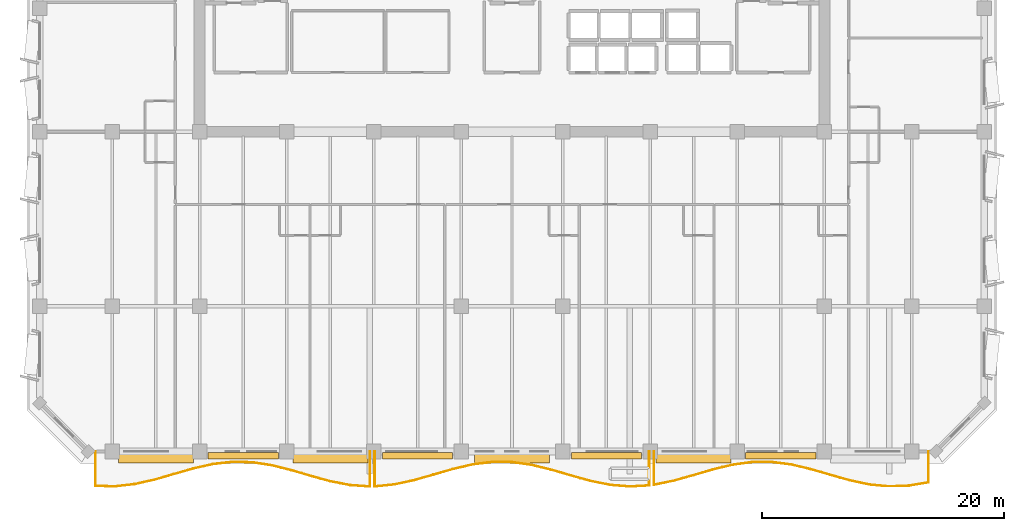
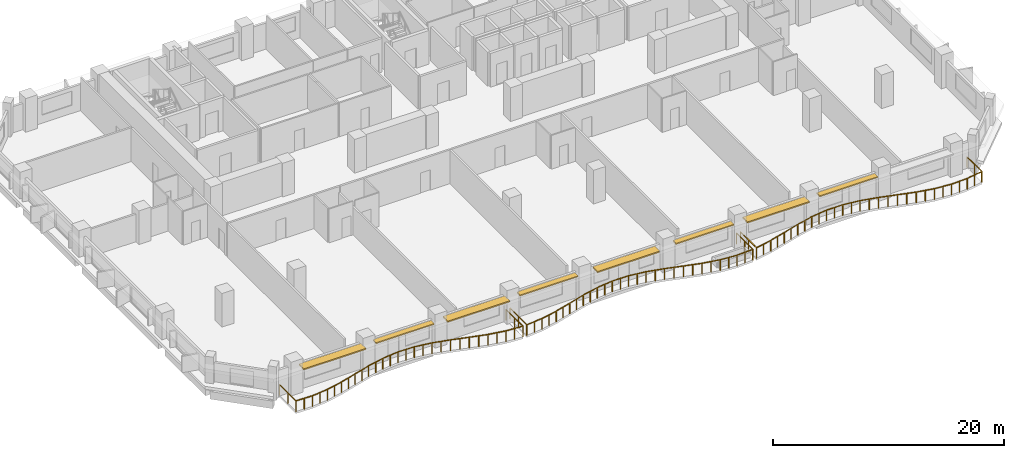
# One storey, part 10 of 14: 8 shading devices, 3 railings.
"""IFC4 building model written with IfcOpenShell, lengths in metres."""

from ifc_helpers import new_model, si_unit, direction, frame, origin, origin_2d, place, context, subcontext, project, spatial, rectangle, extrude, material, layer, layer_set, type_object, element, save


model = new_model("IFC4")

# Units and contexts
model_context = context("Model", 3, precision=1e-05, world=origin(), true_north=direction((0.0, 1.0)))
body_context = subcontext(model_context, "Body", "Model", "MODEL_VIEW")
ifc_project = project(units=[si_unit("LENGTHUNIT", "METRE"), si_unit("AREAUNIT", "SQUARE_METRE"), si_unit("VOLUMEUNIT", "CUBIC_METRE"), si_unit("PLANEANGLEUNIT", "RADIAN"), si_unit("MASSUNIT", "GRAM", prefix="KILO")], contexts=[model_context])

# Site, building, storey
site_placement = place(None, origin())
site = spatial("IfcSite", under=ifc_project, at=site_placement, CompositionType="ELEMENT")
building_placement = place(site_placement, origin())
building = spatial("IfcBuilding", under=site, at=building_placement, Name="Kaelvorn Grand Hotel", CompositionType="ELEMENT")
storey_placement = place(building_placement, frame((0.0, 0.0, 209.14990234375)))
storey = spatial("IfcBuildingStorey", under=building, at=storey_placement, Name="L51", CompositionType="ELEMENT", Elevation=209.14990234375)

# Railings
ifc_material_1 = material(Name="Stainless Steel", Category="steel")
railing_type = type_object("IfcRailingType", Name="RL-BALC-1150", PredefinedType="BALUSTRADE", material=ifc_material_1)
railing_1_placement = place(storey_placement, frame((7.60009765625, 3.0, 0.0)))
element("IfcRailing", 1, at=railing_1_placement, inside=storey, type_object=railing_type, Name="L51 Scalloped Wave Balcony Balustrade GR1-1", PredefinedType="BALUSTRADE", context=body_context, shape_type="SweptSolid", body=[
    extrude(rectangle(XDim=0.048095703125, YDim=0.048095703125, at=origin_2d()), frame((0.0, 0.0, 1.1259765625), z_axis=(0.0, -1.0, 0.0), x_axis=(1.0, 0.0, 0.0)), (0.0, 0.0, 1.0), 2.849853515625),
    extrude(rectangle(XDim=0.048095703125, YDim=0.048095703125, at=origin_2d()), frame((0.0, -2.849853515625, 1.1259765625), z_axis=(0.999730426156, -0.023217989086, 0.0), x_axis=(0.023217989086, 0.999730426156, 0.0)), (0.0, 0.0, 1.0), 1.619384765625),
    extrude(rectangle(XDim=0.048095703125, YDim=0.048095703125, at=origin_2d()), frame((1.618896484375, -2.887451171875, 1.1259765625), z_axis=(0.993682951912, 0.112223843634, 0.0), x_axis=(-0.112223843634, 0.993682951912, 0.0)), (0.0, 0.0, 1.0), 1.62939453125),
    extrude(rectangle(XDim=0.048095703125, YDim=0.048095703125, at=origin_2d()), frame((3.238037109375, -2.70458984375, 1.1259765625), z_axis=(0.975703414812, 0.219095518723, 0.0), x_axis=(-0.219095518723, 0.975703414812, 0.0)), (0.0, 0.0, 1.0), 1.6591796875),
    extrude(rectangle(XDim=0.048095703125, YDim=0.048095703125, at=origin_2d()), frame((4.85693359375, -2.341064453125, 1.1259765625), z_axis=(0.961173148549, 0.275945970271, 0.0), x_axis=(-0.275945970271, 0.961173148549, 0.0)), (0.0, 0.0, 1.0), 1.6845703125),
    extrude(rectangle(XDim=0.048095703125, YDim=0.048095703125, at=origin_2d()), frame((6.47607421875, -1.876220703125, 1.1259765625), z_axis=(0.961096237506, 0.276213725676, 0.0), x_axis=(-0.276213725676, 0.961096237506, 0.0)), (0.0, 0.0, 1.0), 1.6845703125),
    extrude(rectangle(XDim=0.048095703125, YDim=0.048095703125, at=origin_2d()), frame((8.09521484375, -1.410888671875, 1.1259765625), z_axis=(0.975640468592, 0.219375650531, 0.0), x_axis=(-0.219375650531, 0.975640468592, 0.0)), (0.0, 0.0, 1.0), 1.659423828125),
    extrude(rectangle(XDim=0.048095703125, YDim=0.048095703125, at=origin_2d()), frame((9.714111328125, -1.046875, 1.1259765625), z_axis=(0.993615946407, 0.112815562069, 0.0), x_axis=(-0.112815562069, 0.993615946407, 0.0)), (0.0, 0.0, 1.0), 1.629638671875),
    extrude(rectangle(XDim=0.048095703125, YDim=0.048095703125, at=origin_2d()), frame((11.333251953125, -0.863037109375, 1.1259765625), z_axis=(0.999747716334, -0.022461159489, 0.0), x_axis=(0.022461159489, 0.999747716334, 0.0)), (0.0, 0.0, 1.0), 1.61962890625),
    extrude(rectangle(XDim=0.048095703125, YDim=0.048095703125, at=origin_2d()), frame((12.952392578125, -0.8994140625, 1.1259765625), z_axis=(0.988375143725, -0.152034783079, 0.0), x_axis=(0.152034783079, 0.988375143725, 0.0)), (0.0, 0.0, 1.0), 1.637939453125),
    extrude(rectangle(XDim=0.048095703125, YDim=0.048095703125, at=origin_2d()), frame((14.5712890625, -1.1484375, 1.1259765625), z_axis=(0.969797453299, -0.243911663465, 0.0), x_axis=(0.243911663465, 0.969797453299, 0.0)), (0.0, 0.0, 1.0), 1.669677734375),
    extrude(rectangle(XDim=0.048095703125, YDim=0.048095703125, at=origin_2d()), frame((16.1904296875, -1.5556640625, 1.1259765625), z_axis=(0.959298669037, -0.28239345528, 0.0), x_axis=(0.28239345528, 0.959298669037, 0.0)), (0.0, 0.0, 1.0), 1.6875),
    extrude(rectangle(XDim=0.048095703125, YDim=0.048095703125, at=origin_2d()), frame((17.809326171875, -2.0322265625, 1.1259765625), z_axis=(0.964642881797, -0.26356044961, 0.0), x_axis=(0.26356044961, 0.964642881797, 0.0)), (0.0, 0.0, 1.0), 1.678466796875),
    extrude(rectangle(XDim=0.048095703125, YDim=0.048095703125, at=origin_2d()), frame((19.428466796875, -2.474609375, 1.1259765625), z_axis=(0.981934563665, -0.189220804036, 0.0), x_axis=(0.189220804036, 0.981934563665, 0.0)), (0.0, 0.0, 1.0), 1.64892578125),
    extrude(rectangle(XDim=0.048095703125, YDim=0.048095703125, at=origin_2d()), frame((21.047607421875, -2.78662109375, 1.1259765625), z_axis=(0.997560748311, -0.069803677758, 0.0), x_axis=(0.069803677758, 0.997560748311, 0.0)), (0.0, 0.0, 1.0), 1.622802734375),
    extrude(rectangle(XDim=0.048095703125, YDim=0.048095703125, at=origin_2d()), frame((22.66650390625, -2.89990234375, 1.1259765625), z_axis=(0.0, 1.0, 0.0), x_axis=(-1.0, 0.0, 0.0)), (0.0, 0.0, 1.0), 2.89990234375),
    extrude(rectangle(XDim=0.0419921875, YDim=0.0419921875, at=origin_2d()), origin(), (0.0, 0.0, 1.0), 1.101806640625),
    extrude(rectangle(XDim=0.0419921875, YDim=0.0419921875, at=origin_2d()), frame((0.0, -1.4248046875, 0.0)), (0.0, 0.0, 1.0), 1.101806640625),
    extrude(rectangle(XDim=0.0419921875, YDim=0.0419921875, at=origin_2d()), frame((0.0, -2.849853515625, 0.0)), (0.0, 0.0, 1.0), 1.101806640625),
    extrude(rectangle(XDim=0.0419921875, YDim=0.0419921875, at=origin_2d()), frame((0.8095703125, -2.86865234375, 0.0)), (0.0, 0.0, 1.0), 1.101806640625),
    extrude(rectangle(XDim=0.0419921875, YDim=0.0419921875, at=origin_2d()), frame((1.618896484375, -2.887451171875, 0.0)), (0.0, 0.0, 1.0), 1.101806640625),
    extrude(rectangle(XDim=0.0419921875, YDim=0.0419921875, at=origin_2d()), frame((2.428466796875, -2.7958984375, 0.0)), (0.0, 0.0, 1.0), 1.101806640625),
    extrude(rectangle(XDim=0.0419921875, YDim=0.0419921875, at=origin_2d()), frame((3.238037109375, -2.70458984375, 0.0)), (0.0, 0.0, 1.0), 1.101806640625),
    extrude(rectangle(XDim=0.0419921875, YDim=0.0419921875, at=origin_2d()), frame((4.04736328125, -2.52294921875, 0.0)), (0.0, 0.0, 1.0), 1.101806640625),
    extrude(rectangle(XDim=0.0419921875, YDim=0.0419921875, at=origin_2d()), frame((4.85693359375, -2.341064453125, 0.0)), (0.0, 0.0, 1.0), 1.101806640625),
    extrude(rectangle(XDim=0.0419921875, YDim=0.0419921875, at=origin_2d()), frame((5.66650390625, -2.108642578125, 0.0)), (0.0, 0.0, 1.0), 1.101806640625),
    extrude(rectangle(XDim=0.0419921875, YDim=0.0419921875, at=origin_2d()), frame((6.47607421875, -1.876220703125, 0.0)), (0.0, 0.0, 1.0), 1.101806640625),
    extrude(rectangle(XDim=0.0419921875, YDim=0.0419921875, at=origin_2d()), frame((7.28564453125, -1.6435546875, 0.0)), (0.0, 0.0, 1.0), 1.101806640625),
    extrude(rectangle(XDim=0.0419921875, YDim=0.0419921875, at=origin_2d()), frame((8.09521484375, -1.410888671875, 0.0)), (0.0, 0.0, 1.0), 1.101806640625),
    extrude(rectangle(XDim=0.0419921875, YDim=0.0419921875, at=origin_2d()), frame((8.90478515625, -1.22900390625, 0.0)), (0.0, 0.0, 1.0), 1.101806640625),
    extrude(rectangle(XDim=0.0419921875, YDim=0.0419921875, at=origin_2d()), frame((9.714111328125, -1.046875, 0.0)), (0.0, 0.0, 1.0), 1.101806640625),
    extrude(rectangle(XDim=0.0419921875, YDim=0.0419921875, at=origin_2d()), frame((10.523681640625, -0.955078125, 0.0)), (0.0, 0.0, 1.0), 1.101806640625),
    extrude(rectangle(XDim=0.0419921875, YDim=0.0419921875, at=origin_2d()), frame((11.333251953125, -0.863037109375, 0.0)), (0.0, 0.0, 1.0), 1.101806640625),
    extrude(rectangle(XDim=0.0419921875, YDim=0.0419921875, at=origin_2d()), frame((12.142822265625, -0.88134765625, 0.0)), (0.0, 0.0, 1.0), 1.101806640625),
    extrude(rectangle(XDim=0.0419921875, YDim=0.0419921875, at=origin_2d()), frame((12.952392578125, -0.8994140625, 0.0)), (0.0, 0.0, 1.0), 1.101806640625),
    extrude(rectangle(XDim=0.0419921875, YDim=0.0419921875, at=origin_2d()), frame((13.76171875, -1.02392578125, 0.0)), (0.0, 0.0, 1.0), 1.101806640625),
    extrude(rectangle(XDim=0.0419921875, YDim=0.0419921875, at=origin_2d()), frame((14.5712890625, -1.1484375, 0.0)), (0.0, 0.0, 1.0), 1.101806640625),
    extrude(rectangle(XDim=0.0419921875, YDim=0.0419921875, at=origin_2d()), frame((15.380859375, -1.35205078125, 0.0)), (0.0, 0.0, 1.0), 1.101806640625),
    extrude(rectangle(XDim=0.0419921875, YDim=0.0419921875, at=origin_2d()), frame((16.1904296875, -1.5556640625, 0.0)), (0.0, 0.0, 1.0), 1.101806640625),
    extrude(rectangle(XDim=0.0419921875, YDim=0.0419921875, at=origin_2d()), frame((17.0, -1.7939453125, 0.0)), (0.0, 0.0, 1.0), 1.101806640625),
    extrude(rectangle(XDim=0.0419921875, YDim=0.0419921875, at=origin_2d()), frame((17.809326171875, -2.0322265625, 0.0)), (0.0, 0.0, 1.0), 1.101806640625),
    extrude(rectangle(XDim=0.0419921875, YDim=0.0419921875, at=origin_2d()), frame((18.618896484375, -2.25341796875, 0.0)), (0.0, 0.0, 1.0), 1.101806640625),
    extrude(rectangle(XDim=0.0419921875, YDim=0.0419921875, at=origin_2d()), frame((19.428466796875, -2.474609375, 0.0)), (0.0, 0.0, 1.0), 1.101806640625),
    extrude(rectangle(XDim=0.0419921875, YDim=0.0419921875, at=origin_2d()), frame((20.238037109375, -2.630615234375, 0.0)), (0.0, 0.0, 1.0), 1.101806640625),
    extrude(rectangle(XDim=0.0419921875, YDim=0.0419921875, at=origin_2d()), frame((21.047607421875, -2.78662109375, 0.0)), (0.0, 0.0, 1.0), 1.101806640625),
    extrude(rectangle(XDim=0.0419921875, YDim=0.0419921875, at=origin_2d()), frame((21.85693359375, -2.84326171875, 0.0)), (0.0, 0.0, 1.0), 1.101806640625),
    extrude(rectangle(XDim=0.0419921875, YDim=0.0419921875, at=origin_2d()), frame((22.66650390625, -2.89990234375, 0.0)), (0.0, 0.0, 1.0), 1.101806640625),
    extrude(rectangle(XDim=0.0419921875, YDim=0.0419921875, at=origin_2d()), frame((22.66650390625, -1.449951171875, 0.0)), (0.0, 0.0, 1.0), 1.101806640625),
    extrude(rectangle(XDim=0.0419921875, YDim=0.0419921875, at=origin_2d()), frame((22.66650390625, 0.0, 0.0)), (0.0, 0.0, 1.0), 1.101806640625),
])
railing_2_placement = place(storey_placement, frame((30.666748046875, 3.0, 0.0)))
element("IfcRailing", 2, at=railing_2_placement, inside=storey, type_object=railing_type, Name="L51 Scalloped Wave Balcony Balustrade GR1-2", PredefinedType="BALUSTRADE", context=body_context, shape_type="SweptSolid", body=[
    extrude(rectangle(XDim=0.048095703125, YDim=0.048095703125, at=origin_2d()), frame((0.0, 0.0, 1.1259765625), z_axis=(0.0, -1.0, 0.0), x_axis=(1.0, 0.0, 0.0)), (0.0, 0.0, 1.0), 2.8935546875),
    extrude(rectangle(XDim=0.048095703125, YDim=0.048095703125, at=origin_2d()), frame((0.0, -2.8935546875, 1.1259765625), z_axis=(0.994964128671, 0.100231644994, 0.0), x_axis=(-0.100231644994, 0.994964128671, 0.0)), (0.0, 0.0, 1.0), 1.627197265625),
    extrude(rectangle(XDim=0.048095703125, YDim=0.048095703125, at=origin_2d()), frame((1.618896484375, -2.73046875, 1.1259765625), z_axis=(0.977503767455, 0.210917957061, 0.0), x_axis=(-0.210917957061, 0.977503767455, 0.0)), (0.0, 0.0, 1.0), 1.656494140625),
    extrude(rectangle(XDim=0.048095703125, YDim=0.048095703125, at=origin_2d()), frame((3.238037109375, -2.381103515625, 1.1259765625), z_axis=(0.962015046514, 0.272996429062, 0.0), x_axis=(-0.272996429062, 0.962015046514, 0.0)), (0.0, 0.0, 1.0), 1.68310546875),
    extrude(rectangle(XDim=0.048095703125, YDim=0.048095703125, at=origin_2d()), frame((4.857177734375, -1.921630859375, 1.1259765625), z_axis=(0.960389998509, 0.278659381259, 0.0), x_axis=(-0.278659381259, 0.960389998509, 0.0)), (0.0, 0.0, 1.0), 1.685546875),
    extrude(rectangle(XDim=0.048095703125, YDim=0.048095703125, at=origin_2d()), frame((6.47607421875, -1.451904296875, 1.1259765625), z_axis=(0.97385637145, 0.227164627056, 0.0), x_axis=(-0.227164627056, 0.97385637145, 0.0)), (0.0, 0.0, 1.0), 1.66259765625),
    extrude(rectangle(XDim=0.048095703125, YDim=0.048095703125, at=origin_2d()), frame((8.09521484375, -1.07421875, 1.1259765625), z_axis=(0.992220218526, 0.124495132229, 0.0), x_axis=(-0.124495132229, 0.992220218526, 0.0)), (0.0, 0.0, 1.0), 1.631591796875),
    extrude(rectangle(XDim=0.048095703125, YDim=0.048095703125, at=origin_2d()), frame((9.714111328125, -0.87109375, 1.1259765625), z_axis=(0.999954883783, -0.009498968287, 0.0), x_axis=(0.009498968287, 0.999954883783, 0.0)), (0.0, 0.0, 1.0), 1.619140625),
    extrude(rectangle(XDim=0.048095703125, YDim=0.048095703125, at=origin_2d()), frame((11.333251953125, -0.886474609375, 1.1259765625), z_axis=(0.990000183839, -0.141066069621, 0.0), x_axis=(0.141066069621, 0.990000183839, 0.0)), (0.0, 0.0, 1.0), 1.635498046875),
    extrude(rectangle(XDim=0.048095703125, YDim=0.048095703125, at=origin_2d()), frame((12.952392578125, -1.1171875, 1.1259765625), z_axis=(0.971429786171, -0.237327138229, 0.0), x_axis=(0.237327138229, 0.971429786171, 0.0)), (0.0, 0.0, 1.0), 1.66650390625),
    extrude(rectangle(XDim=0.048095703125, YDim=0.048095703125, at=origin_2d()), frame((14.5712890625, -1.5126953125, 1.1259765625), z_axis=(0.959623156728, -0.281288814337, 0.0), x_axis=(0.281288814337, 0.959623156728, 0.0)), (0.0, 0.0, 1.0), 1.687255859375),
    extrude(rectangle(XDim=0.048095703125, YDim=0.048095703125, at=origin_2d()), frame((16.1904296875, -1.9873046875, 1.1259765625), z_axis=(0.963478347778, -0.267786245657, 0.0), x_axis=(0.267786245657, 0.963478347778, 0.0)), (0.0, 0.0, 1.0), 1.68017578125),
    extrude(rectangle(XDim=0.048095703125, YDim=0.048095703125, at=origin_2d()), frame((17.809326171875, -2.437255859375, 1.1259765625), z_axis=(0.980134803691, -0.1983324648, 0.0), x_axis=(0.1983324648, 0.980134803691, 0.0)), (0.0, 0.0, 1.0), 1.65185546875),
    extrude(rectangle(XDim=0.048095703125, YDim=0.048095703125, at=origin_2d()), frame((19.428466796875, -2.764892578125, 1.1259765625), z_axis=(0.996591207216, -0.082498276954, 0.0), x_axis=(0.082498276954, 0.996591207216, 0.0)), (0.0, 0.0, 1.0), 1.624755859375),
    extrude(rectangle(XDim=0.048095703125, YDim=0.048095703125, at=origin_2d()), frame((21.047607421875, -2.89892578125, 1.1259765625), z_axis=(0.998488486101, 0.054961287502, 0.0), x_axis=(-0.054961287502, 0.998488486101, 0.0)), (0.0, 0.0, 1.0), 1.621337890625),
    extrude(rectangle(XDim=0.048095703125, YDim=0.048095703125, at=origin_2d()), frame((22.66650390625, -2.809814453125, 1.1259765625), z_axis=(0.0, 1.0, 0.0), x_axis=(-1.0, 0.0, 0.0)), (0.0, 0.0, 1.0), 2.809814453125),
    extrude(rectangle(XDim=0.0419921875, YDim=0.0419921875, at=origin_2d()), origin(), (0.0, 0.0, 1.0), 1.101806640625),
    extrude(rectangle(XDim=0.0419921875, YDim=0.0419921875, at=origin_2d()), frame((0.0, -1.44677734375, 0.0)), (0.0, 0.0, 1.0), 1.101806640625),
    extrude(rectangle(XDim=0.0419921875, YDim=0.0419921875, at=origin_2d()), frame((0.0, -2.8935546875, 0.0)), (0.0, 0.0, 1.0), 1.101806640625),
    extrude(rectangle(XDim=0.0419921875, YDim=0.0419921875, at=origin_2d()), frame((0.8095703125, -2.81201171875, 0.0)), (0.0, 0.0, 1.0), 1.101806640625),
    extrude(rectangle(XDim=0.0419921875, YDim=0.0419921875, at=origin_2d()), frame((1.618896484375, -2.73046875, 0.0)), (0.0, 0.0, 1.0), 1.101806640625),
    extrude(rectangle(XDim=0.0419921875, YDim=0.0419921875, at=origin_2d()), frame((2.428466796875, -2.5556640625, 0.0)), (0.0, 0.0, 1.0), 1.101806640625),
    extrude(rectangle(XDim=0.0419921875, YDim=0.0419921875, at=origin_2d()), frame((3.238037109375, -2.381103515625, 0.0)), (0.0, 0.0, 1.0), 1.101806640625),
    extrude(rectangle(XDim=0.0419921875, YDim=0.0419921875, at=origin_2d()), frame((4.047607421875, -2.1513671875, 0.0)), (0.0, 0.0, 1.0), 1.101806640625),
    extrude(rectangle(XDim=0.0419921875, YDim=0.0419921875, at=origin_2d()), frame((4.857177734375, -1.921630859375, 0.0)), (0.0, 0.0, 1.0), 1.101806640625),
    extrude(rectangle(XDim=0.0419921875, YDim=0.0419921875, at=origin_2d()), frame((5.66650390625, -1.686767578125, 0.0)), (0.0, 0.0, 1.0), 1.101806640625),
    extrude(rectangle(XDim=0.0419921875, YDim=0.0419921875, at=origin_2d()), frame((6.47607421875, -1.451904296875, 0.0)), (0.0, 0.0, 1.0), 1.101806640625),
    extrude(rectangle(XDim=0.0419921875, YDim=0.0419921875, at=origin_2d()), frame((7.28564453125, -1.26318359375, 0.0)), (0.0, 0.0, 1.0), 1.101806640625),
    extrude(rectangle(XDim=0.0419921875, YDim=0.0419921875, at=origin_2d()), frame((8.09521484375, -1.07421875, 0.0)), (0.0, 0.0, 1.0), 1.101806640625),
    extrude(rectangle(XDim=0.0419921875, YDim=0.0419921875, at=origin_2d()), frame((8.90478515625, -0.97265625, 0.0)), (0.0, 0.0, 1.0), 1.101806640625),
    extrude(rectangle(XDim=0.0419921875, YDim=0.0419921875, at=origin_2d()), frame((9.714111328125, -0.87109375, 0.0)), (0.0, 0.0, 1.0), 1.101806640625),
    extrude(rectangle(XDim=0.0419921875, YDim=0.0419921875, at=origin_2d()), frame((10.523681640625, -0.87890625, 0.0)), (0.0, 0.0, 1.0), 1.101806640625),
    extrude(rectangle(XDim=0.0419921875, YDim=0.0419921875, at=origin_2d()), frame((11.333251953125, -0.886474609375, 0.0)), (0.0, 0.0, 1.0), 1.101806640625),
    extrude(rectangle(XDim=0.0419921875, YDim=0.0419921875, at=origin_2d()), frame((12.142822265625, -1.001953125, 0.0)), (0.0, 0.0, 1.0), 1.101806640625),
    extrude(rectangle(XDim=0.0419921875, YDim=0.0419921875, at=origin_2d()), frame((12.952392578125, -1.1171875, 0.0)), (0.0, 0.0, 1.0), 1.101806640625),
    extrude(rectangle(XDim=0.0419921875, YDim=0.0419921875, at=origin_2d()), frame((13.76171875, -1.31494140625, 0.0)), (0.0, 0.0, 1.0), 1.101806640625),
    extrude(rectangle(XDim=0.0419921875, YDim=0.0419921875, at=origin_2d()), frame((14.5712890625, -1.5126953125, 0.0)), (0.0, 0.0, 1.0), 1.101806640625),
    extrude(rectangle(XDim=0.0419921875, YDim=0.0419921875, at=origin_2d()), frame((15.380859375, -1.75, 0.0)), (0.0, 0.0, 1.0), 1.101806640625),
    extrude(rectangle(XDim=0.0419921875, YDim=0.0419921875, at=origin_2d()), frame((16.1904296875, -1.9873046875, 0.0)), (0.0, 0.0, 1.0), 1.101806640625),
    extrude(rectangle(XDim=0.0419921875, YDim=0.0419921875, at=origin_2d()), frame((17.0, -2.21240234375, 0.0)), (0.0, 0.0, 1.0), 1.101806640625),
    extrude(rectangle(XDim=0.0419921875, YDim=0.0419921875, at=origin_2d()), frame((17.809326171875, -2.437255859375, 0.0)), (0.0, 0.0, 1.0), 1.101806640625),
    extrude(rectangle(XDim=0.0419921875, YDim=0.0419921875, at=origin_2d()), frame((18.618896484375, -2.60107421875, 0.0)), (0.0, 0.0, 1.0), 1.101806640625),
    extrude(rectangle(XDim=0.0419921875, YDim=0.0419921875, at=origin_2d()), frame((19.428466796875, -2.764892578125, 0.0)), (0.0, 0.0, 1.0), 1.101806640625),
    extrude(rectangle(XDim=0.0419921875, YDim=0.0419921875, at=origin_2d()), frame((20.238037109375, -2.83203125, 0.0)), (0.0, 0.0, 1.0), 1.101806640625),
    extrude(rectangle(XDim=0.0419921875, YDim=0.0419921875, at=origin_2d()), frame((21.047607421875, -2.89892578125, 0.0)), (0.0, 0.0, 1.0), 1.101806640625),
    extrude(rectangle(XDim=0.0419921875, YDim=0.0419921875, at=origin_2d()), frame((21.85693359375, -2.8544921875, 0.0)), (0.0, 0.0, 1.0), 1.101806640625),
    extrude(rectangle(XDim=0.0419921875, YDim=0.0419921875, at=origin_2d()), frame((22.66650390625, -2.809814453125, 0.0)), (0.0, 0.0, 1.0), 1.101806640625),
    extrude(rectangle(XDim=0.0419921875, YDim=0.0419921875, at=origin_2d()), frame((22.66650390625, -1.40478515625, 0.0)), (0.0, 0.0, 1.0), 1.101806640625),
    extrude(rectangle(XDim=0.0419921875, YDim=0.0419921875, at=origin_2d()), frame((22.66650390625, 0.0, 0.0)), (0.0, 0.0, 1.0), 1.101806640625),
])
railing_3_placement = place(storey_placement, frame((53.7333984375, 3.0, 0.0)))
element("IfcRailing", 3, at=railing_3_placement, inside=storey, type_object=railing_type, Name="L51 Scalloped Wave Balcony Balustrade GR1-3", PredefinedType="BALUSTRADE", context=body_context, shape_type="SweptSolid", body=[
    extrude(rectangle(XDim=0.048095703125, YDim=0.048095703125, at=origin_2d()), frame((0.0, 0.0, 1.1259765625), z_axis=(0.0, -1.0, 0.0), x_axis=(1.0, 0.0, 0.0)), (0.0, 0.0, 1.0), 2.754638671875),
    extrude(rectangle(XDim=0.048095703125, YDim=0.048095703125, at=origin_2d()), frame((0.0, -2.754638671875, 1.1259765625), z_axis=(0.979316964053, 0.202332112917, 0.0), x_axis=(-0.202332112917, 0.979316964053, 0.0)), (0.0, 0.0, 1.0), 1.653076171875),
    extrude(rectangle(XDim=0.048095703125, YDim=0.048095703125, at=origin_2d()), frame((1.618896484375, -2.420166015625, 1.1259765625), z_axis=(0.962962511693, 0.269635311251, 0.0), x_axis=(-0.269635311251, 0.962962511693, 0.0)), (0.0, 0.0, 1.0), 1.681396484375),
    extrude(rectangle(XDim=0.048095703125, YDim=0.048095703125, at=origin_2d()), frame((3.238037109375, -1.966796875, 1.1259765625), z_axis=(0.959857228362, 0.280489039289, 0.0), x_axis=(-0.280489039289, 0.959857228362, 0.0)), (0.0, 0.0, 1.0), 1.686767578125),
    extrude(rectangle(XDim=0.048095703125, YDim=0.048095703125, at=origin_2d()), frame((4.857177734375, -1.49365234375, 1.1259765625), z_axis=(0.972168625769, 0.234282229525, 0.0), x_axis=(-0.234282229525, 0.972168625769, 0.0)), (0.0, 0.0, 1.0), 1.665283203125),
    extrude(rectangle(XDim=0.048095703125, YDim=0.048095703125, at=origin_2d()), frame((6.47607421875, -1.103515625, 1.1259765625), z_axis=(0.99071710319, 0.135939771397, 0.0), x_axis=(-0.135939771397, 0.99071710319, 0.0)), (0.0, 0.0, 1.0), 1.63427734375),
    extrude(rectangle(XDim=0.048095703125, YDim=0.048095703125, at=origin_2d()), frame((8.09521484375, -0.88134765625, 1.1259765625), z_axis=(0.999993450168, 0.003619339889, 0.0), x_axis=(-0.003619339889, 0.999993450168, 0.0)), (0.0, 0.0, 1.0), 1.618896484375),
    extrude(rectangle(XDim=0.048095703125, YDim=0.048095703125, at=origin_2d()), frame((9.714111328125, -0.87548828125, 1.1259765625), z_axis=(0.991562852546, -0.129626808377, 0.0), x_axis=(0.129626808377, 0.991562852546, 0.0)), (0.0, 0.0, 1.0), 1.6328125),
    extrude(rectangle(XDim=0.048095703125, YDim=0.048095703125, at=origin_2d()), frame((11.333251953125, -1.087158203125, 1.1259765625), z_axis=(0.973071627699, -0.230502944378, 0.0), x_axis=(0.230502944378, 0.973071627699, 0.0)), (0.0, 0.0, 1.0), 1.6640625),
    extrude(rectangle(XDim=0.048095703125, YDim=0.048095703125, at=origin_2d()), frame((12.952392578125, -1.470703125, 1.1259765625), z_axis=(0.960157157306, -0.279460611311, 0.0), x_axis=(0.279460611311, 0.960157157306, 0.0)), (0.0, 0.0, 1.0), 1.68603515625),
    extrude(rectangle(XDim=0.048095703125, YDim=0.048095703125, at=origin_2d()), frame((14.5712890625, -1.94189453125, 1.1259765625), z_axis=(0.962433147184, -0.271518760311, 0.0), x_axis=(0.271518760311, 0.962433147184, 0.0)), (0.0, 0.0, 1.0), 1.682373046875),
    extrude(rectangle(XDim=0.048095703125, YDim=0.048095703125, at=origin_2d()), frame((16.1904296875, -2.398681640625, 1.1259765625), z_axis=(0.978317525264, -0.207110646181, 0.0), x_axis=(0.207110646181, 0.978317525264, 0.0)), (0.0, 0.0, 1.0), 1.655029296875),
    extrude(rectangle(XDim=0.048095703125, YDim=0.048095703125, at=origin_2d()), frame((17.8095703125, -2.741455078125, 1.1259765625), z_axis=(0.995502891633, -0.094731160401, 0.0), x_axis=(0.094731160401, 0.995502891633, 0.0)), (0.0, 0.0, 1.0), 1.626220703125),
    extrude(rectangle(XDim=0.048095703125, YDim=0.048095703125, at=origin_2d()), frame((19.428466796875, -2.8955078125, 1.1259765625), z_axis=(0.999116282636, 0.042031580648, 0.0), x_axis=(-0.042031580648, 0.999116282636, 0.0)), (0.0, 0.0, 1.0), 1.62060546875),
    extrude(rectangle(XDim=0.048095703125, YDim=0.048095703125, at=origin_2d()), frame((21.047607421875, -2.827392578125, 1.1259765625), z_axis=(0.985837909177, 0.167700974446, 0.0), x_axis=(-0.167700974446, 0.985837909177, 0.0)), (0.0, 0.0, 1.0), 1.64208984375),
    extrude(rectangle(XDim=0.048095703125, YDim=0.048095703125, at=origin_2d()), frame((22.66650390625, -2.552001953125, 1.1259765625), z_axis=(0.0, 1.0, 0.0), x_axis=(-1.0, 0.0, 0.0)), (0.0, 0.0, 1.0), 2.552001953125),
    extrude(rectangle(XDim=0.0419921875, YDim=0.0419921875, at=origin_2d()), origin(), (0.0, 0.0, 1.0), 1.101806640625),
    extrude(rectangle(XDim=0.0419921875, YDim=0.0419921875, at=origin_2d()), frame((0.0, -1.37744140625, 0.0)), (0.0, 0.0, 1.0), 1.101806640625),
    extrude(rectangle(XDim=0.0419921875, YDim=0.0419921875, at=origin_2d()), frame((0.0, -2.754638671875, 0.0)), (0.0, 0.0, 1.0), 1.101806640625),
    extrude(rectangle(XDim=0.0419921875, YDim=0.0419921875, at=origin_2d()), frame((0.8095703125, -2.58740234375, 0.0)), (0.0, 0.0, 1.0), 1.101806640625),
    extrude(rectangle(XDim=0.0419921875, YDim=0.0419921875, at=origin_2d()), frame((1.618896484375, -2.420166015625, 0.0)), (0.0, 0.0, 1.0), 1.101806640625),
    extrude(rectangle(XDim=0.0419921875, YDim=0.0419921875, at=origin_2d()), frame((2.428466796875, -2.193359375, 0.0)), (0.0, 0.0, 1.0), 1.101806640625),
    extrude(rectangle(XDim=0.0419921875, YDim=0.0419921875, at=origin_2d()), frame((3.238037109375, -1.966796875, 0.0)), (0.0, 0.0, 1.0), 1.101806640625),
    extrude(rectangle(XDim=0.0419921875, YDim=0.0419921875, at=origin_2d()), frame((4.047607421875, -1.730224609375, 0.0)), (0.0, 0.0, 1.0), 1.101806640625),
    extrude(rectangle(XDim=0.0419921875, YDim=0.0419921875, at=origin_2d()), frame((4.857177734375, -1.49365234375, 0.0)), (0.0, 0.0, 1.0), 1.101806640625),
    extrude(rectangle(XDim=0.0419921875, YDim=0.0419921875, at=origin_2d()), frame((5.66650390625, -1.298583984375, 0.0)), (0.0, 0.0, 1.0), 1.101806640625),
    extrude(rectangle(XDim=0.0419921875, YDim=0.0419921875, at=origin_2d()), frame((6.47607421875, -1.103515625, 0.0)), (0.0, 0.0, 1.0), 1.101806640625),
    extrude(rectangle(XDim=0.0419921875, YDim=0.0419921875, at=origin_2d()), frame((7.28564453125, -0.992431640625, 0.0)), (0.0, 0.0, 1.0), 1.101806640625),
    extrude(rectangle(XDim=0.0419921875, YDim=0.0419921875, at=origin_2d()), frame((8.09521484375, -0.88134765625, 0.0)), (0.0, 0.0, 1.0), 1.101806640625),
    extrude(rectangle(XDim=0.0419921875, YDim=0.0419921875, at=origin_2d()), frame((8.90478515625, -0.87841796875, 0.0)), (0.0, 0.0, 1.0), 1.101806640625),
    extrude(rectangle(XDim=0.0419921875, YDim=0.0419921875, at=origin_2d()), frame((9.714111328125, -0.87548828125, 0.0)), (0.0, 0.0, 1.0), 1.101806640625),
    extrude(rectangle(XDim=0.0419921875, YDim=0.0419921875, at=origin_2d()), frame((10.523681640625, -0.9814453125, 0.0)), (0.0, 0.0, 1.0), 1.101806640625),
    extrude(rectangle(XDim=0.0419921875, YDim=0.0419921875, at=origin_2d()), frame((11.333251953125, -1.087158203125, 0.0)), (0.0, 0.0, 1.0), 1.101806640625),
    extrude(rectangle(XDim=0.0419921875, YDim=0.0419921875, at=origin_2d()), frame((12.142822265625, -1.27880859375, 0.0)), (0.0, 0.0, 1.0), 1.101806640625),
    extrude(rectangle(XDim=0.0419921875, YDim=0.0419921875, at=origin_2d()), frame((12.952392578125, -1.470703125, 0.0)), (0.0, 0.0, 1.0), 1.101806640625),
    extrude(rectangle(XDim=0.0419921875, YDim=0.0419921875, at=origin_2d()), frame((13.76171875, -1.706298828125, 0.0)), (0.0, 0.0, 1.0), 1.101806640625),
    extrude(rectangle(XDim=0.0419921875, YDim=0.0419921875, at=origin_2d()), frame((14.5712890625, -1.94189453125, 0.0)), (0.0, 0.0, 1.0), 1.101806640625),
    extrude(rectangle(XDim=0.0419921875, YDim=0.0419921875, at=origin_2d()), frame((15.380859375, -2.17041015625, 0.0)), (0.0, 0.0, 1.0), 1.101806640625),
    extrude(rectangle(XDim=0.0419921875, YDim=0.0419921875, at=origin_2d()), frame((16.1904296875, -2.398681640625, 0.0)), (0.0, 0.0, 1.0), 1.101806640625),
    extrude(rectangle(XDim=0.0419921875, YDim=0.0419921875, at=origin_2d()), frame((17.0, -2.570068359375, 0.0)), (0.0, 0.0, 1.0), 1.101806640625),
    extrude(rectangle(XDim=0.0419921875, YDim=0.0419921875, at=origin_2d()), frame((17.8095703125, -2.741455078125, 0.0)), (0.0, 0.0, 1.0), 1.101806640625),
    extrude(rectangle(XDim=0.0419921875, YDim=0.0419921875, at=origin_2d()), frame((18.619140625, -2.818359375, 0.0)), (0.0, 0.0, 1.0), 1.101806640625),
    extrude(rectangle(XDim=0.0419921875, YDim=0.0419921875, at=origin_2d()), frame((19.428466796875, -2.8955078125, 0.0)), (0.0, 0.0, 1.0), 1.101806640625),
    extrude(rectangle(XDim=0.0419921875, YDim=0.0419921875, at=origin_2d()), frame((20.238037109375, -2.861328125, 0.0)), (0.0, 0.0, 1.0), 1.101806640625),
    extrude(rectangle(XDim=0.0419921875, YDim=0.0419921875, at=origin_2d()), frame((21.047607421875, -2.827392578125, 0.0)), (0.0, 0.0, 1.0), 1.101806640625),
    extrude(rectangle(XDim=0.0419921875, YDim=0.0419921875, at=origin_2d()), frame((21.85693359375, -2.689697265625, 0.0)), (0.0, 0.0, 1.0), 1.101806640625),
    extrude(rectangle(XDim=0.0419921875, YDim=0.0419921875, at=origin_2d()), frame((22.66650390625, -2.552001953125, 0.0)), (0.0, 0.0, 1.0), 1.101806640625),
    extrude(rectangle(XDim=0.0419921875, YDim=0.0419921875, at=origin_2d()), frame((22.66650390625, -1.27587890625, 0.0)), (0.0, 0.0, 1.0), 1.101806640625),
    extrude(rectangle(XDim=0.0419921875, YDim=0.0419921875, at=origin_2d()), frame((22.66650390625, 0.0, 0.0)), (0.0, 0.0, 1.0), 1.101806640625),
])

# Shading devices
ifc_material_2 = material(Name="Precast concrete C45/55", Category="concrete")
ifc_layer_1 = layer(ifc_material_2, 0.1201171875)
ifc_layer_set_1 = layer_set([ifc_layer_1], Name="Precast concrete C45/55")
shading_device_type_1 = type_object("IfcShadingDeviceType", Name="SHD-SUNSHADE-550", PredefinedType="USERDEFINED", material=ifc_layer_set_1)
for number, where, z_axis, x_axis, name in (
    (4, (19.800048828125, 2.64501953125, 2.56005859375), (0.0, 0.0, 1.0), (1.0, 0.0, 0.0), "L51 Horizontal Concrete Sunshade Band SS-03"),
    (5, (34.199951171875, 2.64501953125, 2.56005859375), (0.0, 0.0, 1.0), (1.0, 0.0, 0.0), "L51 Horizontal Concrete Sunshade Band SS-05"),
    (6, (49.800048828125, 2.64501953125, 2.56005859375), (0.0, 0.0, 1.0), (1.0, 0.0, 0.0), "L51 Horizontal Concrete Sunshade Band SS-07"),
    (7, (64.199951171875, 2.64501953125, 2.56005859375), (0.0, 0.0, 1.0), (1.0, 0.0, 0.0), "L51 Horizontal Concrete Sunshade Band SS-09"),
):
    element("IfcShadingDevice", number, at=place(storey_placement, frame(where, z_axis=z_axis, x_axis=x_axis)), inside=storey, type_object=shading_device_type_1, Name=name, ObjectType="SUNSHADE", PredefinedType="USERDEFINED", context=body_context, shape_type="SweptSolid", body=[
        extrude(rectangle(XDim=5.800048828125, YDim=0.550048828125, at=origin_2d()), origin(), (0.0, 0.0, 1.0), 0.1201171875),
    ])
ifc_layer_2 = layer(ifc_material_2, 0.139892578125)
ifc_layer_set_2 = layer_set([ifc_layer_2], Name="Precast concrete C45/55")
shading_device_type_2 = type_object("IfcShadingDeviceType", Name="SHD-SUNSHADE-850", PredefinedType="USERDEFINED", material=ifc_layer_set_2)
for number, where, z_axis, x_axis, name in (
    (8, (12.60009765625, 2.4951171875, 2.55029296875), (0.0, 0.0, 1.0), (1.0, 0.0, 0.0), "L51 Horizontal Concrete Sunshade Band SS-02"),
    (9, (27.0, 2.4951171875, 2.55029296875), (0.0, 0.0, 1.0), (1.0, 0.0, 0.0), "L51 Horizontal Concrete Sunshade Band SS-04"),
    (10, (42.0, 2.4951171875, 2.55029296875), (0.0, 0.0, 1.0), (1.0, 0.0, 0.0), "L51 Horizontal Concrete Sunshade Band SS-06"),
    (11, (57.0, 2.4951171875, 2.55029296875), (0.0, 0.0, 1.0), (1.0, 0.0, 0.0), "L51 Horizontal Concrete Sunshade Band SS-08"),
):
    element("IfcShadingDevice", number, at=place(storey_placement, frame(where, z_axis=z_axis, x_axis=x_axis)), inside=storey, type_object=shading_device_type_2, Name=name, ObjectType="SUNSHADE", PredefinedType="USERDEFINED", context=body_context, shape_type="SweptSolid", body=[
        extrude(rectangle(XDim=6.199951171875, YDim=0.85009765625, at=origin_2d()), origin(), (0.0, 0.0, 1.0), 0.139892578125),
    ])

save(model, "model.ifc")
